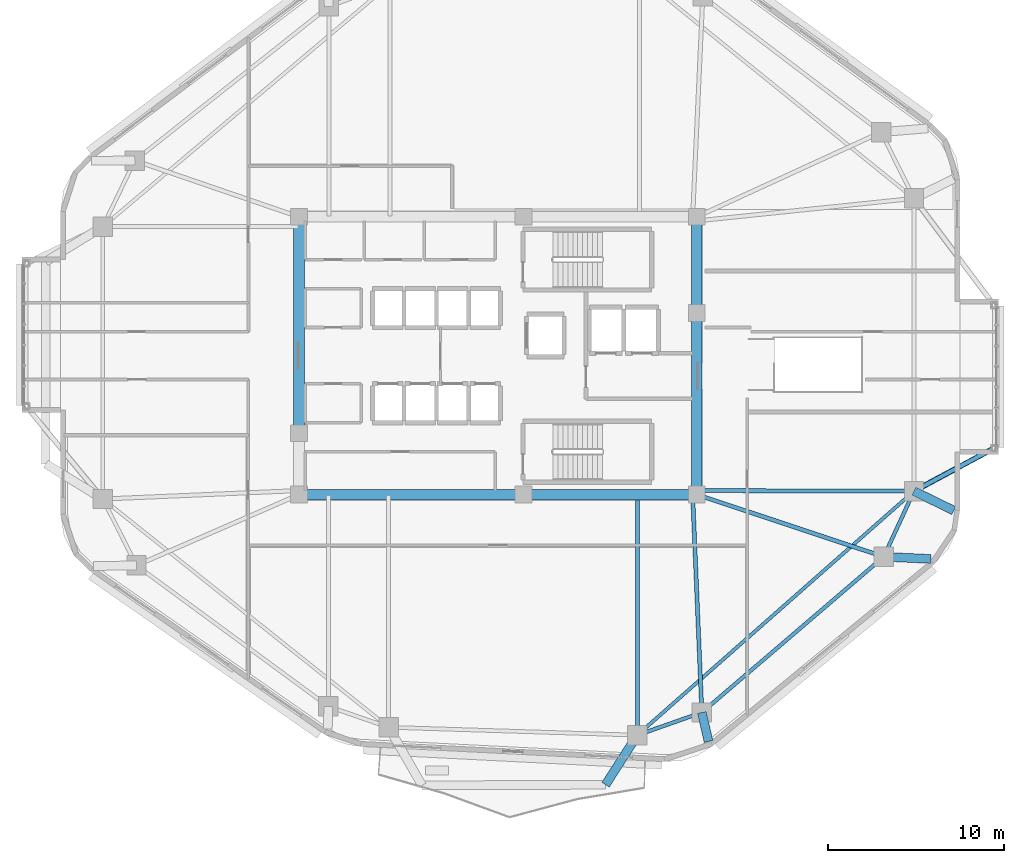
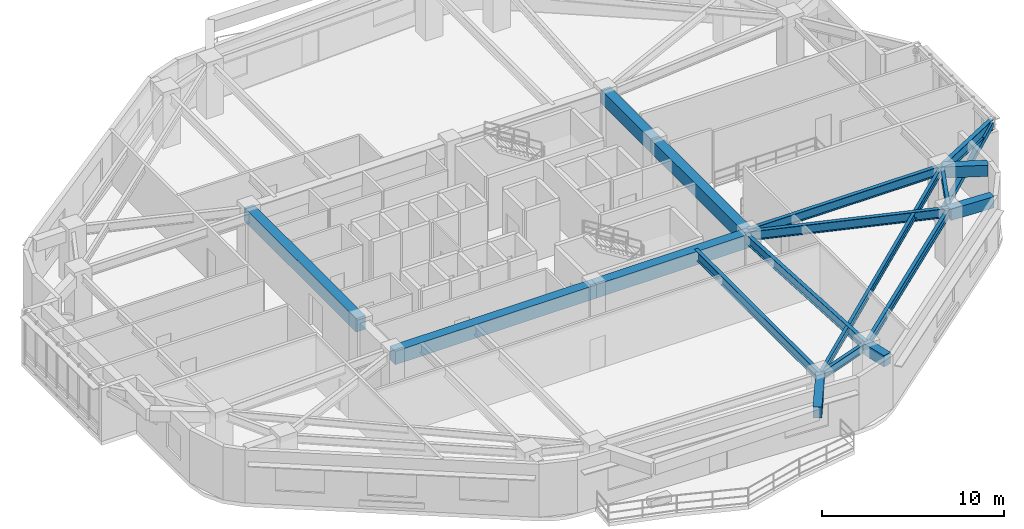
# One storey, part 4 of 14: 18 beams, 1 member.
"""IFC4 building model written with IfcOpenShell, lengths in metres."""

from ifc_helpers import new_model, si_unit, direction, frame, origin, origin_2d, place, context, subcontext, project, spatial, rectangle, hollow_rectangle, i_section, extrude, material, material_profile, profile_set, type_object, element, save


model = new_model("IFC4")

# Units and contexts
model_context = context("Model", 3, precision=1e-05, world=origin(), true_north=direction((0.0, 1.0)))
body_context = subcontext(model_context, "Body", "Model", "MODEL_VIEW")
ifc_project = project(units=[si_unit("LENGTHUNIT", "METRE"), si_unit("AREAUNIT", "SQUARE_METRE"), si_unit("VOLUMEUNIT", "CUBIC_METRE"), si_unit("PLANEANGLEUNIT", "RADIAN"), si_unit("MASSUNIT", "GRAM", prefix="KILO")], contexts=[model_context])

# Site, building, storey
site_placement = place(None, origin())
site = spatial("IfcSite", under=ifc_project, at=site_placement, CompositionType="ELEMENT")
building_placement = place(site_placement, origin())
building = spatial("IfcBuilding", under=site, at=building_placement, Name="Zulverin Broadcast Headquarters", CompositionType="ELEMENT")
storey_placement = place(building_placement, frame((0.0, 0.0, 128.800048828125)))
storey = spatial("IfcBuildingStorey", under=building, at=storey_placement, Name="L32", CompositionType="ELEMENT", Elevation=128.800048828125)

# Beams
ifc_material_1 = material(Name="Concrete C60/75", Category="concrete")
ifc_material_profile_1 = material_profile(ifc_material_1, rectangle(XDim=0.60009765625, YDim=0.89990234375, at=origin_2d()), Name="Concrete C60/75", Category="concrete")
ifc_profile_set_1 = profile_set([ifc_material_profile_1], Name="Concrete C60/75")
beam_type_1 = type_object("IfcBeamType", Name="BM-CB-600x900", PredefinedType="LINTEL", material=ifc_profile_set_1)
beam_1_placement = place(storey_placement, frame((25.72509765625, 17.324951171875, 3.08984375), z_axis=(1.0, 0.0, 0.0), x_axis=(0.0, 1.0, 0.0)))
element("IfcBeam", 1, at=beam_1_placement, inside=storey, type_object=beam_type_1, Name="L32 Core Coupling Girder K01-K02", PredefinedType="LINTEL", context=body_context, shape_type="SweptSolid", body=[
    extrude(rectangle(XDim=0.60009765625, YDim=0.89990234375, at=origin_2d()), origin(), (0.0, 0.0, 1.0), 12.724853515625),
])
beam_2_placement = place(storey_placement, frame((38.449951171875, 17.324951171875, 3.08984375), z_axis=(1.0, 0.0, 0.0), x_axis=(0.0, 1.0, 0.0)))
element("IfcBeam", 2, at=beam_2_placement, inside=storey, type_object=beam_type_1, Name="L32 Core Coupling Girder K02-K03", PredefinedType="LINTEL", context=body_context, shape_type="SweptSolid", body=[
    extrude(rectangle(XDim=0.60009765625, YDim=0.89990234375, at=origin_2d()), origin(), (0.0, 0.0, 1.0), 9.824951171875),
])
beam_3_placement = place(storey_placement, frame((48.27490234375, 17.324951171875, 3.08984375), z_axis=(0.0, 1.0, 0.0), x_axis=(-1.0, 0.0, 0.0)))
element("IfcBeam", 3, at=beam_3_placement, inside=storey, type_object=beam_type_1, Name="L32 Core Coupling Girder K03-K04", PredefinedType="LINTEL", context=body_context, shape_type="SweptSolid", body=[
    extrude(rectangle(XDim=0.60009765625, YDim=0.89990234375, at=origin_2d()), origin(), (0.0, 0.0, 1.0), 10.295166015625),
])
beam_4_placement = place(storey_placement, frame((48.27490234375, 27.6201171875, 3.08984375), z_axis=(0.0, 1.0, 0.0), x_axis=(-1.0, 0.0, 0.0)))
element("IfcBeam", 4, at=beam_4_placement, inside=storey, type_object=beam_type_1, Name="L32 Core Coupling Girder K04-K05", PredefinedType="LINTEL", context=body_context, shape_type="SweptSolid", body=[
    extrude(rectangle(XDim=0.60009765625, YDim=0.89990234375, at=origin_2d()), origin(), (0.0, 0.0, 1.0), 5.454833984375),
])
beam_5_placement = place(storey_placement, frame((25.72509765625, 33.074951171875, 3.08984375), z_axis=(0.0, -1.0, 0.0), x_axis=(1.0, 0.0, 0.0)))
element("IfcBeam", 5, at=beam_5_placement, inside=storey, type_object=beam_type_1, Name="L32 Core Coupling Girder K07-K08", PredefinedType="LINTEL", context=body_context, shape_type="SweptSolid", body=[
    extrude(rectangle(XDim=0.60009765625, YDim=0.89990234375, at=origin_2d()), origin(), (0.0, 0.0, 1.0), 12.27490234375),
])
ifc_material_2 = material(Name="Concrete C40/50", Category="concrete")
ifc_material_profile_2 = material_profile(ifc_material_2, rectangle(XDim=0.5, YDim=0.75, at=origin_2d()), Name="Concrete C40/50", Category="concrete")
ifc_profile_set_2 = profile_set([ifc_material_profile_2], Name="Concrete C40/50")
beam_type_2 = type_object("IfcBeamType", Name="BM-RC-500x750", PredefinedType="BEAM", material=ifc_profile_set_2)
beam_6_placement = place(storey_placement, frame((48.569580078125, 4.967041015625, 3.1650390625), z_axis=(0.224096721795, -0.974566908571, 0.0), x_axis=(0.974566908571, 0.224096721795, 0.0)))
element("IfcBeam", 6, at=beam_6_placement, inside=storey, type_object=beam_type_2, Name="L33 Plate Overhang Back-Spanned Beam OVR-03", PredefinedType="BEAM", context=body_context, shape_type="SweptSolid", body=[
    extrude(rectangle(XDim=0.5, YDim=0.75, at=origin_2d()), origin(), (0.0, 0.0, 1.0), 1.68310546875),
])
beam_7_placement = place(storey_placement, frame((58.886962890625, 13.798095703125, 3.1650390625), z_axis=(0.998923539617, -0.046387088715, 0.0), x_axis=(0.046387088715, 0.998923539617, 0.0)))
element("IfcBeam", 7, at=beam_7_placement, inside=storey, type_object=beam_type_2, Name="L33 Plate Overhang Back-Spanned Beam OVR-04", PredefinedType="BEAM", context=body_context, shape_type="SweptSolid", body=[
    extrude(rectangle(XDim=0.5, YDim=0.75, at=origin_2d()), origin(), (0.0, 0.0, 1.0), 2.66845703125),
])
beam_8_placement = place(storey_placement, frame((60.60009765625, 17.519287109375, 3.1650390625), z_axis=(0.898215084613, -0.439556210027, 0.0), x_axis=(0.439556210027, 0.898215084613, 0.0)))
element("IfcBeam", 8, at=beam_8_placement, inside=storey, type_object=beam_type_2, Name="L33 Plate Overhang Back-Spanned Beam OVR-05", PredefinedType="BEAM", context=body_context, shape_type="SweptSolid", body=[
    extrude(rectangle(XDim=0.5, YDim=0.75, at=origin_2d()), origin(), (0.0, 0.0, 1.0), 2.5048828125),
])
beam_9_placement = place(storey_placement, frame((44.909912109375, 3.68017578125, 3.1650390625), z_axis=(-0.539910693623, -0.841722307481, 0.0), x_axis=(0.841722307481, -0.539910693623, 0.0)))
element("IfcBeam", 9, at=beam_9_placement, inside=storey, type_object=beam_type_2, Name="L33 Balcony Column-Framed Cantilever BAL_S-2", PredefinedType="BEAM", context=body_context, shape_type="SweptSolid", body=[
    extrude(rectangle(XDim=0.5, YDim=0.75, at=origin_2d()), origin(), (0.0, 0.0, 1.0), 3.337646484375),
])
ifc_material_3 = material(Name="Structural steel S355JR", Category="steel")
ifc_material_profile_3 = material_profile(ifc_material_3, i_section(OverallWidth=0.19287109375, OverallDepth=0.46728515625, WebThickness=0.011474609375, FlangeThickness=0.01953125, at=origin_2d()), Name="Structural steel S355JR", Category="steel")
ifc_profile_set_3 = profile_set([ifc_material_profile_3], Name="Structural steel S355JR")
beam_type_3 = type_object("IfcBeamType", Name="BM-UB-457", PredefinedType="JOIST", material=ifc_profile_set_3)
beam_10_placement = place(storey_placement, frame((44.909912109375, 3.68017578125, 3.306396484375), z_axis=(0.74996043981, 0.661482682102, 0.0), x_axis=(-0.661482682102, 0.74996043981, 0.0)))
element("IfcBeam", 10, at=beam_10_placement, inside=storey, type_object=beam_type_3, Name="L32 Chordal Floor Joist J-01", PredefinedType="JOIST", context=body_context, shape_type="SweptSolid", body=[
    extrude(i_section(OverallWidth=0.19287109375, OverallDepth=0.46728515625, WebThickness=0.011474609375, FlangeThickness=0.01953125, at=origin_2d()), origin(), (0.0, 0.0, 1.0), 20.92138671875),
])
ifc_material_profile_4 = material_profile(ifc_material_3, i_section(OverallWidth=0.2119140625, OverallDepth=0.54443359375, WebThickness=0.0126953125, FlangeThickness=0.021240234375, at=origin_2d()), Name="Structural steel S355JR", Category="steel")
ifc_profile_set_4 = profile_set([ifc_material_profile_4], Name="Structural steel S355JR")
beam_type_4 = type_object("IfcBeamType", Name="BM-UB-533", PredefinedType="SPANDREL", material=ifc_profile_set_4)
beam_11_placement = place(storey_placement, frame((44.909912109375, 3.68017578125, 3.267578125), z_axis=(0.943376593622, 0.331723684121, 0.0), x_axis=(-0.331723684121, 0.943376593622, 0.0)))
element("IfcBeam", 11, at=beam_11_placement, inside=storey, type_object=beam_type_4, Name="L32 Perimeter Spandrel Beam SP-02", PredefinedType="SPANDREL", context=body_context, shape_type="SweptSolid", body=[
    extrude(i_section(OverallWidth=0.2119140625, OverallDepth=0.54443359375, WebThickness=0.0126953125, FlangeThickness=0.021240234375, at=origin_2d()), origin(), (0.0, 0.0, 1.0), 3.87939453125),
])
beam_12_placement = place(storey_placement, frame((48.569580078125, 4.967041015625, 3.267578125), z_axis=(0.759708170965, 0.650264173217, 0.0), x_axis=(-0.650264173217, 0.759708170965, 0.0)))
element("IfcBeam", 12, at=beam_12_placement, inside=storey, type_object=beam_type_4, Name="L32 Perimeter Spandrel Beam SP-03", PredefinedType="SPANDREL", context=body_context, shape_type="SweptSolid", body=[
    extrude(i_section(OverallWidth=0.2119140625, OverallDepth=0.54443359375, WebThickness=0.0126953125, FlangeThickness=0.021240234375, at=origin_2d()), origin(), (0.0, 0.0, 1.0), 13.580810546875),
])
beam_13_placement = place(storey_placement, frame((58.886962890625, 13.798095703125, 3.267578125), z_axis=(0.418184975358, 0.90836189175, 0.0), x_axis=(-0.90836189175, 0.418184975358, 0.0)))
element("IfcBeam", 13, at=beam_13_placement, inside=storey, type_object=beam_type_4, Name="L32 Perimeter Spandrel Beam SP-04", PredefinedType="SPANDREL", context=body_context, shape_type="SweptSolid", body=[
    extrude(i_section(OverallWidth=0.2119140625, OverallDepth=0.54443359375, WebThickness=0.0126953125, FlangeThickness=0.021240234375, at=origin_2d()), origin(), (0.0, 0.0, 1.0), 4.0966796875),
])
ifc_material_profile_5 = material_profile(ifc_material_3, i_section(OverallWidth=0.230224609375, OverallDepth=0.6171875, WebThickness=0.01318359375, FlangeThickness=0.022216796875, at=origin_2d()), Name="Structural steel S355JR", Category="steel")
ifc_profile_set_5 = profile_set([ifc_material_profile_5], Name="Structural steel S355JR")
beam_type_5 = type_object("IfcBeamType", Name="BM-UB-610", PredefinedType="BEAM", material=ifc_profile_set_5)
beam_14_placement = place(storey_placement, frame((44.909912109375, 17.27490234375, 3.2314453125), z_axis=(0.0, -1.0, 0.0), x_axis=(1.0, 0.0, 0.0)))
element("IfcBeam", 14, at=beam_14_placement, inside=storey, type_object=beam_type_5, Name="L32 Radial Primary Floor Beam RB-02", PredefinedType="BEAM", context=body_context, shape_type="SweptSolid", body=[
    extrude(i_section(OverallWidth=0.230224609375, OverallDepth=0.6171875, WebThickness=0.01318359375, FlangeThickness=0.022216796875, at=origin_2d()), origin(), (0.0, 0.0, 1.0), 13.5947265625),
])
beam_15_placement = place(storey_placement, frame((48.050048828125, 17.27490234375, 3.2314453125), z_axis=(0.042173778549, -0.99911029041, 0.0), x_axis=(0.99911029041, 0.042173778549, 0.0)))
element("IfcBeam", 15, at=beam_15_placement, inside=storey, type_object=beam_type_5, Name="L32 Radial Primary Floor Beam RB-03", PredefinedType="BEAM", context=body_context, shape_type="SweptSolid", body=[
    extrude(i_section(OverallWidth=0.230224609375, OverallDepth=0.6171875, WebThickness=0.01318359375, FlangeThickness=0.022216796875, at=origin_2d()), origin(), (0.0, 0.0, 1.0), 12.31884765625),
])
beam_16_placement = place(storey_placement, frame((48.27490234375, 17.324951171875, 3.2314453125), z_axis=(0.948964552547, -0.315382748432, 0.0), x_axis=(0.315382748432, 0.948964552547, 0.0)))
element("IfcBeam", 16, at=beam_16_placement, inside=storey, type_object=beam_type_5, Name="L32 Radial Primary Floor Beam RB-04", PredefinedType="BEAM", context=body_context, shape_type="SweptSolid", body=[
    extrude(i_section(OverallWidth=0.230224609375, OverallDepth=0.6171875, WebThickness=0.01318359375, FlangeThickness=0.022216796875, at=origin_2d()), origin(), (0.0, 0.0, 1.0), 11.182861328125),
])
beam_17_placement = place(storey_placement, frame((48.324951171875, 17.550048828125, 3.2314453125), z_axis=(0.999996859956, -0.002506008559, 0.0), x_axis=(0.002506008559, 0.999996859956, 0.0)))
element("IfcBeam", 17, at=beam_17_placement, inside=storey, type_object=beam_type_5, Name="L32 Radial Primary Floor Beam RB-05", PredefinedType="BEAM", context=body_context, shape_type="SweptSolid", body=[
    extrude(i_section(OverallWidth=0.230224609375, OverallDepth=0.6171875, WebThickness=0.01318359375, FlangeThickness=0.022216796875, at=origin_2d()), origin(), (0.0, 0.0, 1.0), 12.275146484375),
])
ifc_material_profile_6 = material_profile(ifc_material_3, i_section(OverallWidth=0.255859375, OverallDepth=0.69287109375, WebThickness=0.014404296875, FlangeThickness=0.023681640625, at=origin_2d()), Name="Structural steel S355JR", Category="steel")
ifc_profile_set_6 = profile_set([ifc_material_profile_6], Name="Structural steel S355JR")
beam_type_6 = type_object("IfcBeamType", Name="BM-UB-686", PredefinedType="BEAM", material=ifc_profile_set_6)
beam_18_placement = place(storey_placement, frame((60.60009765625, 17.519287109375, 3.193359375), z_axis=(0.881215519651, 0.472714721504, 0.0), x_axis=(-0.472714721504, 0.881215519651, 0.0)))
element("IfcBeam", 18, at=beam_18_placement, inside=storey, type_object=beam_type_6, Name="L32 Studio Box Cantilever Girder SBOX_SKY1_E-1", PredefinedType="BEAM", context=body_context, shape_type="SweptSolid", body=[
    extrude(i_section(OverallWidth=0.255859375, OverallDepth=0.69287109375, WebThickness=0.014404296875, FlangeThickness=0.023681640625, at=origin_2d()), origin(), (0.0, 0.0, 1.0), 5.1630859375),
])

# Member
ifc_material_profile_7 = material_profile(ifc_material_3, hollow_rectangle(XDim=0.300048828125, YDim=0.300048828125, WallThickness=0.01611328125, at=origin_2d()), Name="Structural steel S355JR", Category="steel")
ifc_profile_set_7 = profile_set([ifc_material_profile_7], Name="Structural steel S355JR")
member_type = type_object("IfcMemberType", Name="MBR-BLT-DIAG1", PredefinedType="BRACE", material=ifc_profile_set_7)
member_placement = place(storey_placement, frame((60.60009765625, 17.519287109375, 0.349853515625), z_axis=(0.768942006831, 0.41248729568, 0.488448995324), x_axis=(-0.472714721504, 0.881215519651, 0.0)))
element("IfcMember", 19, at=member_placement, inside=storey, type_object=member_type, Name="L32 Studio Box Raking Knee Brace SBOX_SKY1_E-1", PredefinedType="BRACE", context=body_context, shape_type="SweptSolid", body=[
    extrude(hollow_rectangle(XDim=0.300048828125, YDim=0.300048828125, WallThickness=0.01611328125, at=origin_2d()), origin(), (0.0, 0.0, 1.0), 5.9169921875),
])

save(model, "model.ifc")
